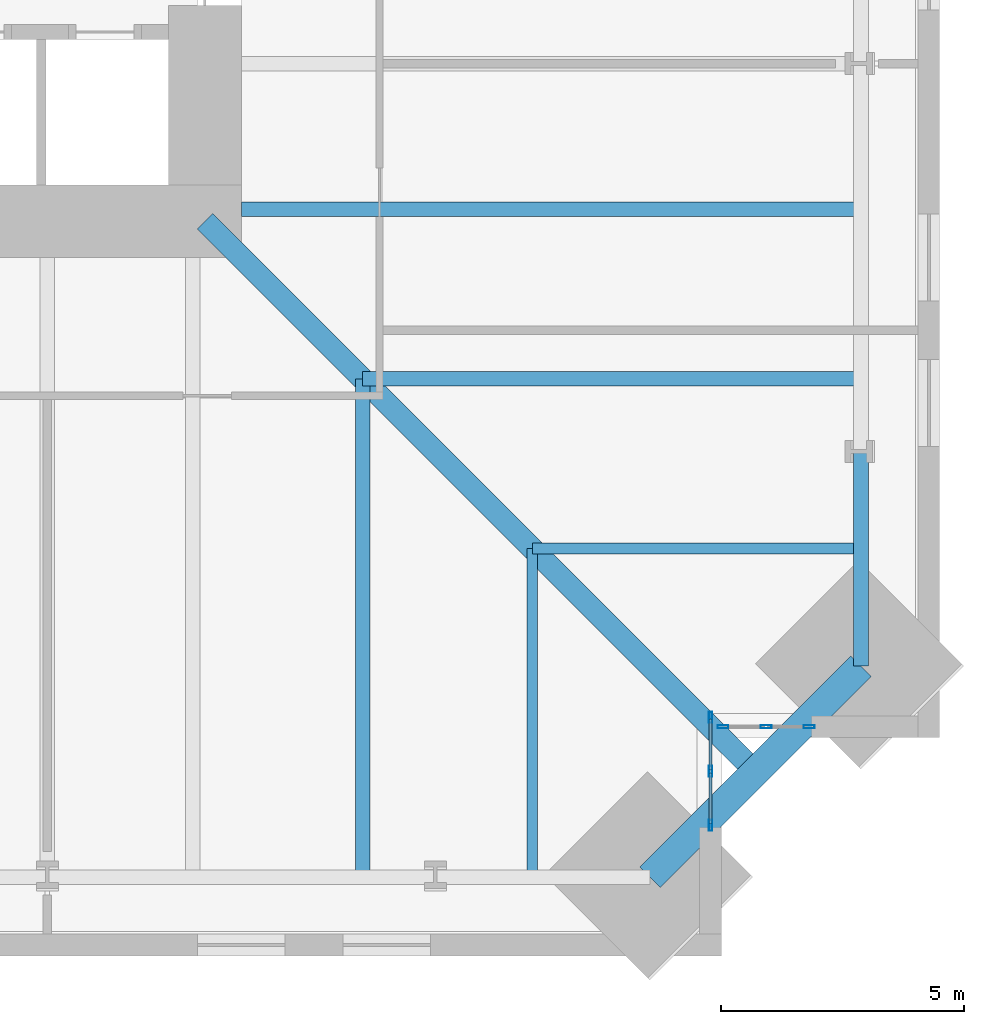
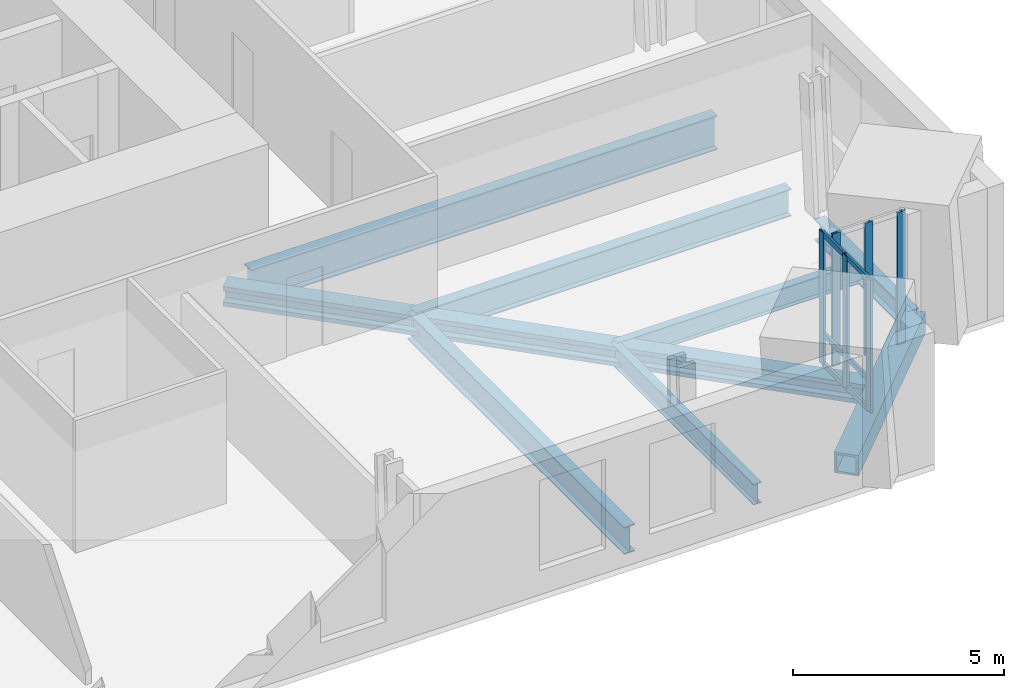
# One storey, part 4 of 18: 12 members, 8 beams, 2 elements without a shape of their own.
"""IFC4 building model written with IfcOpenShell, lengths in metres."""

from ifc_helpers import new_model, si_unit, direction, frame, origin, origin_2d, place, context, subcontext, project, spatial, hollow_rectangle, i_section, extrude, material, material_profile, profile_set, type_object, element, aggregate, save


model = new_model("IFC4")

# Units and contexts
model_context = context("Model", 3, precision=1e-05, world=origin(), true_north=direction((0.0, 1.0)))
body_context = subcontext(model_context, "Body", "Model", "MODEL_VIEW")
ifc_project = project(units=[si_unit("LENGTHUNIT", "METRE"), si_unit("AREAUNIT", "SQUARE_METRE"), si_unit("VOLUMEUNIT", "CUBIC_METRE"), si_unit("PLANEANGLEUNIT", "RADIAN"), si_unit("MASSUNIT", "GRAM", prefix="KILO")], contexts=[model_context])

# Site, building, storey
site_placement = place(None, origin())
site = spatial("IfcSite", under=ifc_project, at=site_placement, CompositionType="ELEMENT")
building_placement = place(site_placement, origin())
building = spatial("IfcBuilding", under=site, at=building_placement, Name="Peilmerk Tower", CompositionType="ELEMENT")
storey_placement = place(building_placement, frame((0.0, 0.0, 151.800048828125)))
storey = spatial("IfcBuildingStorey", under=building, at=storey_placement, Name="L31", CompositionType="ELEMENT", Elevation=151.800048828125)

# Beams
ifc_material_1 = material(Name="Steel S355", Category="steel")
ifc_material_profile_1 = material_profile(ifc_material_1, i_section(OverallWidth=0.219970703125, OverallDepth=0.60009765625, WebThickness=0.011962890625, FlangeThickness=0.01904296875, at=origin_2d()), Name="IPE 600")
ifc_profile_set_1 = profile_set([ifc_material_profile_1], Name="Steel S355")
beam_type_1 = type_object("IfcBeamType", Name="B10 IPE 600 floor beam", PredefinedType="BEAM", material=ifc_profile_set_1)
for number, where, z_axis, x_axis, name in (
    (1, (18.0, -18.0, -0.469970703125), (0.0, -1.0, 0.0), (1.0, 0.0, 0.0), "Floor beam L31"),
    (2, (18.0, -18.0, -0.469970703125), (1.0, 0.0, 0.0), (0.0, 1.0, 0.0), "Floor beam L31"),
):
    element("IfcBeam", number, at=place(storey_placement, frame(where, z_axis=z_axis, x_axis=x_axis)), inside=storey, type_object=beam_type_1, Name=name, PredefinedType="BEAM", context=body_context, shape_type="SweptSolid", body=[
        extrude(i_section(OverallWidth=0.219970703125, OverallDepth=0.60009765625, WebThickness=0.011962890625, FlangeThickness=0.01904296875, at=origin_2d()), origin(), (0.0, 0.0, 1.0), 6.77587890625),
    ])
ifc_material_profile_2 = material_profile(ifc_material_1, i_section(OverallWidth=0.300048828125, OverallDepth=0.989990234375, WebThickness=0.0166015625, FlangeThickness=0.031005859375, at=origin_2d()), Name="HEA 1000")
ifc_profile_set_2 = profile_set([ifc_material_profile_2], Name="Steel S355")
beam_type_2 = type_object("IfcBeamType", Name="B14 HEA 1000 floor girder", PredefinedType="BEAM", material=ifc_profile_set_2)
beam_1_placement = place(storey_placement, frame((12.0, -11.0, -0.6650390625), z_axis=(1.0, 0.0, 0.0), x_axis=(0.0, 1.0, 0.0)))
element("IfcBeam", 3, at=beam_1_placement, inside=storey, type_object=beam_type_2, Name="Floor beam L31", PredefinedType="BEAM", context=body_context, shape_type="SweptSolid", body=[
    extrude(i_section(OverallWidth=0.300048828125, OverallDepth=0.989990234375, WebThickness=0.0166015625, FlangeThickness=0.031005859375, at=origin_2d()), origin(), (0.0, 0.0, 1.0), 12.77587890625),
])
ifc_material_2 = material(Name="Steel S460", Category="steel")
ifc_material_profile_3 = material_profile(ifc_material_2, hollow_rectangle(XDim=0.60009765625, YDim=0.60009765625, WallThickness=0.06005859375, at=origin_2d()), Name="BOX 600x600x60")
ifc_profile_set_3 = profile_set([ifc_material_profile_3], Name="Steel S460")
beam_type_3 = type_object("IfcBeamType", Name="B20 BOX 600x600x60 notch beam", PredefinedType="SPANDREL", material=ifc_profile_set_3)
beam_2_placement = place(storey_placement, frame((24.77587890625, -20.42578125, -0.469970703125), z_axis=(-0.707106781187, -0.707106781187, 0.0), x_axis=(0.707106781187, -0.707106781187, 0.0)))
element("IfcBeam", 4, at=beam_2_placement, inside=storey, type_object=beam_type_3, Name="Notch beam L31", PredefinedType="SPANDREL", context=body_context, shape_type="SweptSolid", body=[
    extrude(hollow_rectangle(XDim=0.60009765625, YDim=0.60009765625, WallThickness=0.06005859375, at=origin_2d()), origin(), (0.0, 0.0, 1.0), 6.15185546875),
])
ifc_material_profile_4 = material_profile(ifc_material_1, i_section(OverallWidth=0.300048828125, OverallDepth=0.7900390625, WebThickness=0.014892578125, FlangeThickness=0.028076171875, at=origin_2d()), Name="HEA 800")
ifc_profile_set_4 = profile_set([ifc_material_profile_4], Name="Steel S355")
beam_type_4 = type_object("IfcBeamType", Name="B3 HEA 800 floor beam", PredefinedType="BEAM", material=ifc_profile_set_4)
for number, where, z_axis, x_axis, name in (
    (5, (14.5, -14.5, -0.56494140625), (0.0, -1.0, 0.0), (1.0, 0.0, 0.0), "Floor beam L31"),
    (6, (14.5, -14.5, -0.56494140625), (1.0, 0.0, 0.0), (0.0, 1.0, 0.0), "Floor beam L31"),
):
    element("IfcBeam", number, at=place(storey_placement, frame(where, z_axis=z_axis, x_axis=x_axis)), inside=storey, type_object=beam_type_4, Name=name, PredefinedType="BEAM", context=body_context, shape_type="SweptSolid", body=[
        extrude(i_section(OverallWidth=0.300048828125, OverallDepth=0.7900390625, WebThickness=0.014892578125, FlangeThickness=0.028076171875, at=origin_2d()), origin(), (0.0, 0.0, 1.0), 10.27587890625),
    ])
ifc_material_profile_5 = material_profile(ifc_material_1, i_section(OverallWidth=0.304931640625, OverallDepth=0.6201171875, WebThickness=0.02099609375, FlangeThickness=0.0400390625, at=origin_2d()), Name="HEM 600")
ifc_profile_set_5 = profile_set([ifc_material_profile_5], Name="Steel S355")
beam_type_5 = type_object("IfcBeamType", Name="B31 HEM 600 edge beam", PredefinedType="SPANDREL", material=ifc_profile_set_5)
beam_3_placement = place(storey_placement, frame((24.77587890625, -20.42578125, -0.47998046875), z_axis=(0.0, 1.0, 0.0), x_axis=(-1.0, 0.0, 0.0)))
element("IfcBeam", 7, at=beam_3_placement, inside=storey, type_object=beam_type_5, Name="Edge beam L31", PredefinedType="SPANDREL", context=body_context, shape_type="SweptSolid", body=[
    extrude(i_section(OverallWidth=0.304931640625, OverallDepth=0.6201171875, WebThickness=0.02099609375, FlangeThickness=0.0400390625, at=origin_2d()), origin(), (0.0, 0.0, 1.0), 4.42578125),
])
ifc_material_profile_6 = material_profile(ifc_material_2, i_section(OverallWidth=0.4541015625, OverallDepth=0.569091796875, WebThickness=0.077880859375, FlangeThickness=0.125, at=origin_2d()), Name="HD 400x1086")
ifc_profile_set_6 = profile_set([ifc_material_profile_6], Name="Steel S460")
beam_type_6 = type_object("IfcBeamType", Name="B9 HD 400x1086 corner girder", PredefinedType="BEAM", material=ifc_profile_set_6)
beam_4_placement = place(storey_placement, frame((11.25, -11.25, -0.45458984375), z_axis=(0.707106781187, -0.707106781187, 0.0), x_axis=(0.707106781187, 0.707106781187, 0.0)))
element("IfcBeam", 8, at=beam_4_placement, inside=storey, type_object=beam_type_6, Name="Corner girder L31", PredefinedType="BEAM", context=body_context, shape_type="SweptSolid", body=[
    extrude(i_section(OverallWidth=0.4541015625, OverallDepth=0.569091796875, WebThickness=0.077880859375, FlangeThickness=0.125, at=origin_2d()), origin(), (0.0, 0.0, 1.0), 16.052490234375),
])

# Curtain wall, members
ifc_material_3 = material(Name="Aluminium stick curtain wall", Category="aluminium")
curtain_wall_type = type_object("IfcCurtainWallType", Name="CW3 stick curtain wall, 2250 module", PredefinedType="NOTDEFINED", material=ifc_material_3)
curtain_wall_1_placement = place(storey_placement, origin())
curtain_wall_1 = element("IfcCurtainWall", 9, at=curtain_wall_1_placement, inside=storey, type_object=curtain_wall_type, Name="Curtain wall CW3 SEA L31", PredefinedType="NOTDEFINED")
ifc_material_4 = material(Name="Aluminium EN AW-6063 T6", Category="aluminium")
ifc_material_profile_7 = material_profile(ifc_material_4, hollow_rectangle(XDim=0.06494140625, YDim=0.22509765625, WallThickness=0.00390625, at=origin_2d()), Name="AL 225x65x4")
ifc_profile_set_7 = profile_set([ifc_material_profile_7], Name="Aluminium EN AW-6063 T6")
member_type_1 = type_object("IfcMemberType", Name="CW3-M AL 225x65x4 mullion", PredefinedType="MULLION", material=ifc_profile_set_7)
member_1_placement = place(storey_placement, frame((21.675048828125, -21.482421875, 0.0), z_axis=(0.0, 0.0, 1.0), x_axis=(1.0, 0.0, 0.0)))
member_1 = element("IfcMember", 10, at=member_1_placement, type_object=member_type_1, Name="CW3 mullion 1", PredefinedType="MULLION", context=body_context, shape_type="SweptSolid", body=[
    extrude(hollow_rectangle(XDim=0.06494140625, YDim=0.22509765625, WallThickness=0.00390625, at=origin_2d()), origin(), (0.0, 0.0, 1.0), 3.829833984375),
])
member_2_placement = place(storey_placement, frame((21.675048828125, -22.59423828125, 0.0), z_axis=(0.0, 0.0, 1.0), x_axis=(1.0, 0.0, 0.0)))
member_2 = element("IfcMember", 11, at=member_2_placement, type_object=member_type_1, Name="CW3 mullion 2", PredefinedType="MULLION", context=body_context, shape_type="SweptSolid", body=[
    extrude(hollow_rectangle(XDim=0.06494140625, YDim=0.22509765625, WallThickness=0.00390625, at=origin_2d()), origin(), (0.0, 0.0, 1.0), 3.829833984375),
])
member_3_placement = place(storey_placement, frame((21.675048828125, -23.706298828125, 0.0), z_axis=(0.0, 0.0, 1.0), x_axis=(1.0, 0.0, 0.0)))
member_3 = element("IfcMember", 12, at=member_3_placement, type_object=member_type_1, Name="CW3 mullion 3", PredefinedType="MULLION", context=body_context, shape_type="SweptSolid", body=[
    extrude(hollow_rectangle(XDim=0.06494140625, YDim=0.22509765625, WallThickness=0.00390625, at=origin_2d()), origin(), (0.0, 0.0, 1.0), 3.829833984375),
])

curtain_wall_2_placement = place(storey_placement, origin())
curtain_wall_2 = element("IfcCurtainWall", 13, at=curtain_wall_2_placement, inside=storey, type_object=curtain_wall_type, Name="Curtain wall CW3 SEB L31", PredefinedType="NOTDEFINED")
member_4_placement = place(storey_placement, frame((21.9326171875, -21.675048828125, 0.0), z_axis=(0.0, 0.0, 1.0), x_axis=(0.0, 1.0, 0.0)))
member_4 = element("IfcMember", 14, at=member_4_placement, type_object=member_type_1, Name="CW3 mullion 1", PredefinedType="MULLION", context=body_context, shape_type="SweptSolid", body=[
    extrude(hollow_rectangle(XDim=0.06494140625, YDim=0.22509765625, WallThickness=0.00390625, at=origin_2d()), origin(), (0.0, 0.0, 1.0), 3.829833984375),
])
member_5_placement = place(storey_placement, frame((22.8193359375, -21.675048828125, 0.0), z_axis=(0.0, 0.0, 1.0), x_axis=(0.0, 1.0, 0.0)))
member_5 = element("IfcMember", 15, at=member_5_placement, type_object=member_type_1, Name="CW3 mullion 2", PredefinedType="MULLION", context=body_context, shape_type="SweptSolid", body=[
    extrude(hollow_rectangle(XDim=0.06494140625, YDim=0.22509765625, WallThickness=0.00390625, at=origin_2d()), origin(), (0.0, 0.0, 1.0), 3.829833984375),
])
member_6_placement = place(storey_placement, frame((23.706298828125, -21.675048828125, 0.0), z_axis=(0.0, 0.0, 1.0), x_axis=(0.0, 1.0, 0.0)))
member_6 = element("IfcMember", 16, at=member_6_placement, type_object=member_type_1, Name="CW3 mullion 3", PredefinedType="MULLION", context=body_context, shape_type="SweptSolid", body=[
    extrude(hollow_rectangle(XDim=0.06494140625, YDim=0.22509765625, WallThickness=0.00390625, at=origin_2d()), origin(), (0.0, 0.0, 1.0), 3.829833984375),
])
aggregate(curtain_wall_2, [member_4, member_5, member_6])

# Member
ifc_material_profile_8 = material_profile(ifc_material_4, hollow_rectangle(XDim=0.06494140625, YDim=0.14990234375, WallThickness=0.0029296875, at=origin_2d()), Name="AL 150x65x3")
ifc_profile_set_8 = profile_set([ifc_material_profile_8], Name="Aluminium EN AW-6063 T6")
member_type_2 = type_object("IfcMemberType", Name="CW3-T AL 150x65x3 transom", PredefinedType="USERDEFINED", material=ifc_profile_set_8)
member_7_placement = place(storey_placement, frame((21.675048828125, -21.514892578125, 0.032470703125), z_axis=(0.0, -1.0, 0.0), x_axis=(1.0, 0.0, 0.0)))
member_7 = element("IfcMember", 17, at=member_7_placement, type_object=member_type_2, Name="CW3 transom 1.1", ObjectType="TRANSOM", PredefinedType="USERDEFINED", context=body_context, shape_type="SweptSolid", body=[
    extrude(hollow_rectangle(XDim=0.06494140625, YDim=0.14990234375, WallThickness=0.0029296875, at=origin_2d()), origin(), (0.0, 0.0, 1.0), 1.046875),
])

member_8_placement = place(storey_placement, frame((21.675048828125, -21.514892578125, 0.89990234375), z_axis=(0.0, -1.0, 0.0), x_axis=(1.0, 0.0, 0.0)))
member_8 = element("IfcMember", 18, at=member_8_placement, type_object=member_type_2, Name="CW3 transom 1.2", ObjectType="TRANSOM", PredefinedType="USERDEFINED", context=body_context, shape_type="SweptSolid", body=[
    extrude(hollow_rectangle(XDim=0.06494140625, YDim=0.14990234375, WallThickness=0.0029296875, at=origin_2d()), origin(), (0.0, 0.0, 1.0), 1.046875),
])

member_9_placement = place(storey_placement, frame((21.675048828125, -21.514892578125, 3.79736328125), z_axis=(0.0, -1.0, 0.0), x_axis=(1.0, 0.0, 0.0)))
member_9 = element("IfcMember", 19, at=member_9_placement, type_object=member_type_2, Name="CW3 transom 1.3", ObjectType="TRANSOM", PredefinedType="USERDEFINED", context=body_context, shape_type="SweptSolid", body=[
    extrude(hollow_rectangle(XDim=0.06494140625, YDim=0.14990234375, WallThickness=0.0029296875, at=origin_2d()), origin(), (0.0, 0.0, 1.0), 1.046875),
])

member_10_placement = place(storey_placement, frame((21.675048828125, -22.626953125, 0.032470703125), z_axis=(0.0, -1.0, 0.0), x_axis=(1.0, 0.0, 0.0)))
member_10 = element("IfcMember", 20, at=member_10_placement, type_object=member_type_2, Name="CW3 transom 2.1", ObjectType="TRANSOM", PredefinedType="USERDEFINED", context=body_context, shape_type="SweptSolid", body=[
    extrude(hollow_rectangle(XDim=0.06494140625, YDim=0.14990234375, WallThickness=0.0029296875, at=origin_2d()), origin(), (0.0, 0.0, 1.0), 1.046630859375),
])

member_11_placement = place(storey_placement, frame((21.675048828125, -22.626953125, 0.89990234375), z_axis=(0.0, -1.0, 0.0), x_axis=(1.0, 0.0, 0.0)))
member_11 = element("IfcMember", 21, at=member_11_placement, type_object=member_type_2, Name="CW3 transom 2.2", ObjectType="TRANSOM", PredefinedType="USERDEFINED", context=body_context, shape_type="SweptSolid", body=[
    extrude(hollow_rectangle(XDim=0.06494140625, YDim=0.14990234375, WallThickness=0.0029296875, at=origin_2d()), origin(), (0.0, 0.0, 1.0), 1.046630859375),
])

member_12_placement = place(storey_placement, frame((21.675048828125, -22.626953125, 3.79736328125), z_axis=(0.0, -1.0, 0.0), x_axis=(1.0, 0.0, 0.0)))
member_12 = element("IfcMember", 22, at=member_12_placement, type_object=member_type_2, Name="CW3 transom 2.3", ObjectType="TRANSOM", PredefinedType="USERDEFINED", context=body_context, shape_type="SweptSolid", body=[
    extrude(hollow_rectangle(XDim=0.06494140625, YDim=0.14990234375, WallThickness=0.0029296875, at=origin_2d()), origin(), (0.0, 0.0, 1.0), 1.046630859375),
])

aggregate(curtain_wall_1, [member_1, member_2, member_3, member_7, member_8, member_9, member_10, member_11, member_12])

save(model, "model.ifc")
